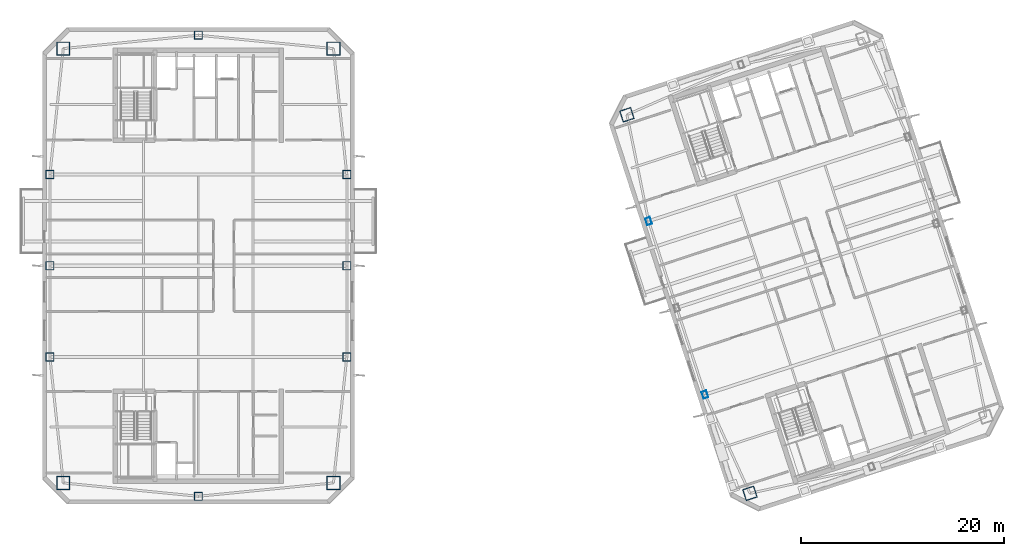
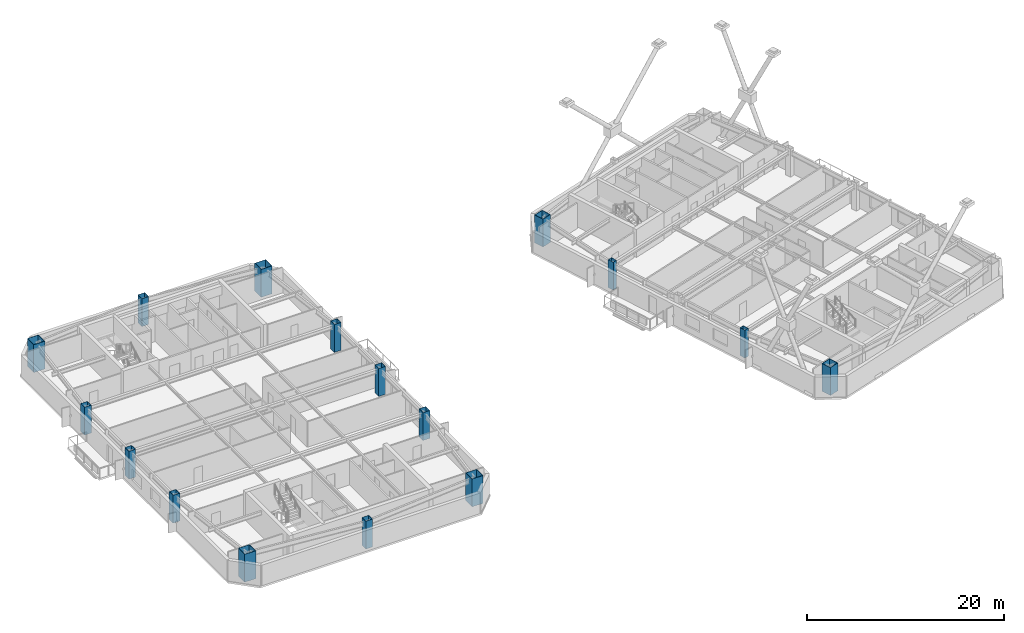
# One storey, part 1 of 18: 16 columns.
"""IFC4 building model written with IfcOpenShell, lengths in metres."""

from ifc_helpers import new_model, si_unit, direction, frame, origin, origin_2d, place, context, subcontext, project, spatial, hollow_rectangle, extrude, material, material_profile, profile_set, type_object, element, save


model = new_model("IFC4")

# Units and contexts
model_context = context("Model", 3, precision=1e-05, world=origin(), true_north=direction((0.0, 1.0)))
body_context = subcontext(model_context, "Body", "Model", "MODEL_VIEW")
ifc_project = project(units=[si_unit("LENGTHUNIT", "METRE"), si_unit("AREAUNIT", "SQUARE_METRE"), si_unit("VOLUMEUNIT", "CUBIC_METRE"), si_unit("PLANEANGLEUNIT", "RADIAN"), si_unit("MASSUNIT", "GRAM", prefix="KILO")], contexts=[model_context])

# Site, building, storey
site_placement = place(None, origin())
site = spatial("IfcSite", under=ifc_project, at=site_placement, CompositionType="ELEMENT")
building_placement = place(site_placement, origin())
building = spatial("IfcBuilding", under=site, at=building_placement, Name="Qiaolan Cultural Towers", CompositionType="ELEMENT")
storey_placement = place(building_placement, frame((0.0, 0.0, 226.550048828125)))
storey = spatial("IfcBuildingStorey", under=building, at=storey_placement, Name="L61", CompositionType="ELEMENT", Elevation=226.550048828125)

# Columns
ifc_material_1 = material(Name="Steel Q390GJB", Category="steel")
ifc_material_profile_1 = material_profile(ifc_material_1, hollow_rectangle(XDim=1.14990234375, YDim=1.14990234375, WallThickness=0.0400390625, at=origin_2d()), Name="BOX1150x1150x40")
ifc_profile_set_1 = profile_set([ifc_material_profile_1], Name="Steel Q390GJB")
column_type_1 = type_object("IfcColumnType", Name="COL-BOX1150x1150x40", PredefinedType="COLUMN", material=ifc_profile_set_1)
for number, where, z_axis, x_axis, name in (
    (1, (84.42822265625, 11.538818359375, 0.0), (0.0, 0.0, 1.0), (0.951056516295, 0.309016994375, 0.0), "L61 T2 Perimeter Column MC-SW"),
    (2, (72.2900390625, 48.896484375, 0.0), (0.0, 0.0, 1.0), (0.951056516295, 0.309016994375, 0.0), "L61 T2 Perimeter Column MC-NW"),
):
    element("IfcColumn", number, at=place(storey_placement, frame(where, z_axis=z_axis, x_axis=x_axis)), inside=storey, type_object=column_type_1, Name=name, PredefinedType="COLUMN", context=body_context, shape_type="SweptSolid", body=[
        extrude(hollow_rectangle(XDim=1.14990234375, YDim=1.14990234375, WallThickness=0.0400390625, at=origin_2d()), origin(), (0.0, 0.0, 1.0), 3.450927734375),
    ])
ifc_material_2 = material(Name="Steel Q390GJB", Category="steel")
ifc_material_profile_2 = material_profile(ifc_material_2, hollow_rectangle(XDim=1.300048828125, YDim=1.300048828125, WallThickness=0.044921875, at=origin_2d()), Name="BOX1300x1300x45")
ifc_profile_set_2 = profile_set([ifc_material_profile_2], Name="Steel Q390GJB")
column_type_2 = type_object("IfcColumnType", Name="COL-BOX1300x1300x45", PredefinedType="COLUMN", material=ifc_profile_set_2)
for number, where, z_axis, x_axis, name in (
    (3, (16.669921875, 12.570068359375, 0.0), (0.0, 0.0, 1.0), (1.0, 0.0, 0.0), "L61 T1 Perimeter Column MC-SW"),
    (4, (43.330078125, 12.570068359375, 0.0), (0.0, 0.0, 1.0), (1.0, 0.0, 0.0), "L61 T1 Perimeter Column MC-SE"),
    (5, (43.330078125, 55.429931640625, 0.0), (0.0, 0.0, 1.0), (1.0, 0.0, 0.0), "L61 T1 Perimeter Column MC-NE"),
    (6, (16.669921875, 55.429931640625, 0.0), (0.0, 0.0, 1.0), (1.0, 0.0, 0.0), "L61 T1 Perimeter Column MC-NW"),
):
    element("IfcColumn", number, at=place(storey_placement, frame(where, z_axis=z_axis, x_axis=x_axis)), inside=storey, type_object=column_type_2, Name=name, PredefinedType="COLUMN", context=body_context, shape_type="SweptSolid", body=[
        extrude(hollow_rectangle(XDim=1.300048828125, YDim=1.300048828125, WallThickness=0.044921875, at=origin_2d()), origin(), (0.0, 0.0, 1.0), 3.450927734375),
    ])
ifc_material_3 = material(Name="Steel Q355B", Category="steel")
ifc_material_profile_3 = material_profile(ifc_material_3, hollow_rectangle(XDim=0.5, YDim=0.699951171875, WallThickness=0.02490234375, at=origin_2d()), Name="BOX700x500x25")
ifc_profile_set_3 = profile_set([ifc_material_profile_3], Name="Steel Q355B")
column_type_3 = type_object("IfcColumnType", Name="COL-BOX700x500x25", PredefinedType="COLUMN", material=ifc_profile_set_3)
for number, where, z_axis, x_axis, name in (
    (7, (79.989501953125, 21.2841796875, 0.0), (0.0, 0.0, 1.0), (0.951056516295, 0.309016994375, 0.0), "L61 T2 Perimeter Column PC-W1"),
    (8, (74.42724609375, 38.4033203125, 0.0), (0.0, 0.0, 1.0), (0.951056516295, 0.309016994375, 0.0), "L61 T2 Perimeter Column PC-W3"),
):
    element("IfcColumn", number, at=place(storey_placement, frame(where, z_axis=z_axis, x_axis=x_axis)), inside=storey, type_object=column_type_3, Name=name, PredefinedType="COLUMN", context=body_context, shape_type="SweptSolid", body=[
        extrude(hollow_rectangle(XDim=0.5, YDim=0.699951171875, WallThickness=0.02490234375, at=origin_2d()), origin(), (0.0, 0.0, 1.0), 3.450927734375),
    ])
ifc_material_4 = material(Name="Steel Q355B", Category="steel")
ifc_material_profile_4 = material_profile(ifc_material_4, hollow_rectangle(XDim=0.800048828125, YDim=0.800048828125, WallThickness=0.028076171875, at=origin_2d()), Name="BOX800x800x28")
ifc_profile_set_4 = profile_set([ifc_material_profile_4], Name="Steel Q355B")
column_type_4 = type_object("IfcColumnType", Name="COL-BOX800x800x28", PredefinedType="COLUMN", material=ifc_profile_set_4)
for number, where, z_axis, x_axis, name in (
    (9, (15.35009765625, 25.0, 0.0), (0.0, 0.0, 1.0), (1.0, 0.0, 0.0), "L61 T1 Perimeter Column PC-W1"),
    (10, (15.35009765625, 34.0, 0.0), (0.0, 0.0, 1.0), (1.0, 0.0, 0.0), "L61 T1 Perimeter Column PC-W2"),
    (11, (15.35009765625, 43.0, 0.0), (0.0, 0.0, 1.0), (1.0, 0.0, 0.0), "L61 T1 Perimeter Column PC-W3"),
    (12, (44.64990234375, 25.0, 0.0), (0.0, 0.0, 1.0), (1.0, 0.0, 0.0), "L61 T1 Perimeter Column PC-E1"),
    (13, (44.64990234375, 34.0, 0.0), (0.0, 0.0, 1.0), (1.0, 0.0, 0.0), "L61 T1 Perimeter Column PC-E2"),
    (14, (44.64990234375, 43.0, 0.0), (0.0, 0.0, 1.0), (1.0, 0.0, 0.0), "L61 T1 Perimeter Column PC-E3"),
    (15, (30.0, 11.25, 0.0), (0.0, 0.0, 1.0), (1.0, 0.0, 0.0), "L61 T1 Perimeter Column PC-S0"),
    (16, (30.0, 56.75, 0.0), (0.0, 0.0, 1.0), (1.0, 0.0, 0.0), "L61 T1 Perimeter Column PC-N0"),
):
    element("IfcColumn", number, at=place(storey_placement, frame(where, z_axis=z_axis, x_axis=x_axis)), inside=storey, type_object=column_type_4, Name=name, PredefinedType="COLUMN", context=body_context, shape_type="SweptSolid", body=[
        extrude(hollow_rectangle(XDim=0.800048828125, YDim=0.800048828125, WallThickness=0.028076171875, at=origin_2d()), origin(), (0.0, 0.0, 1.0), 3.450927734375),
    ])

save(model, "model.ifc")
